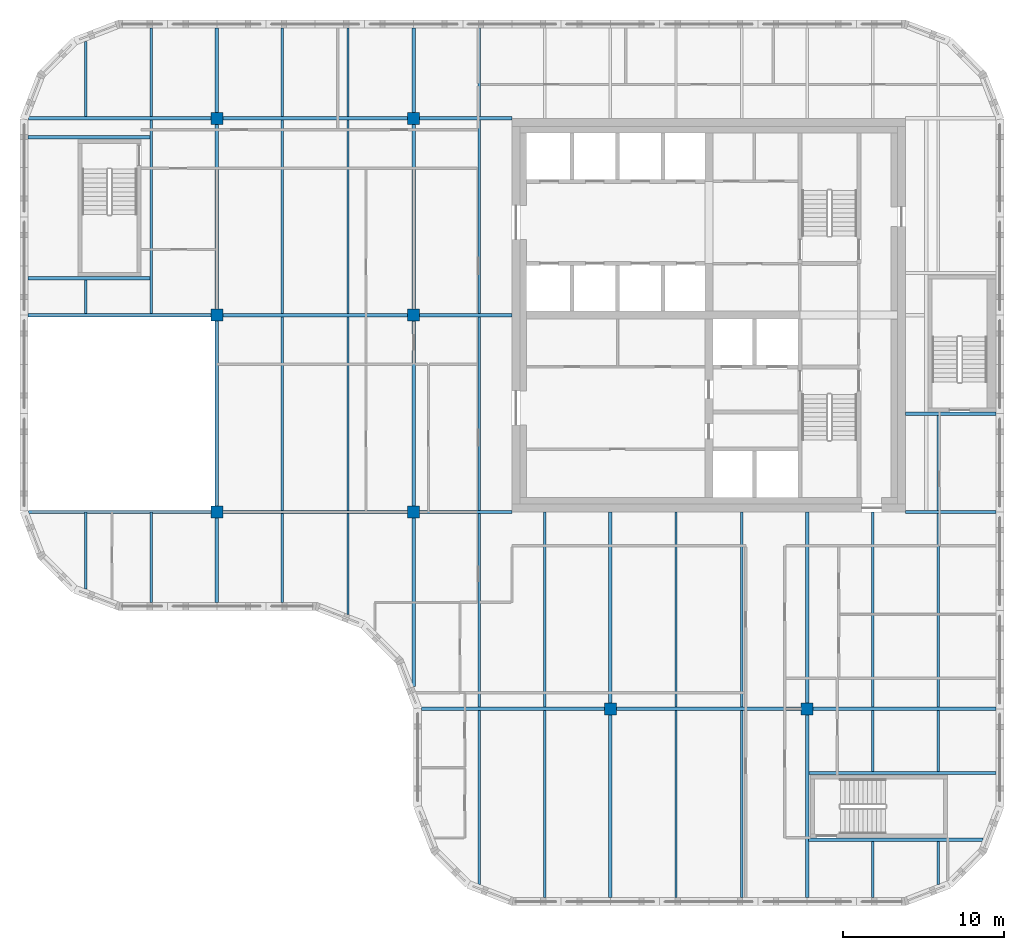
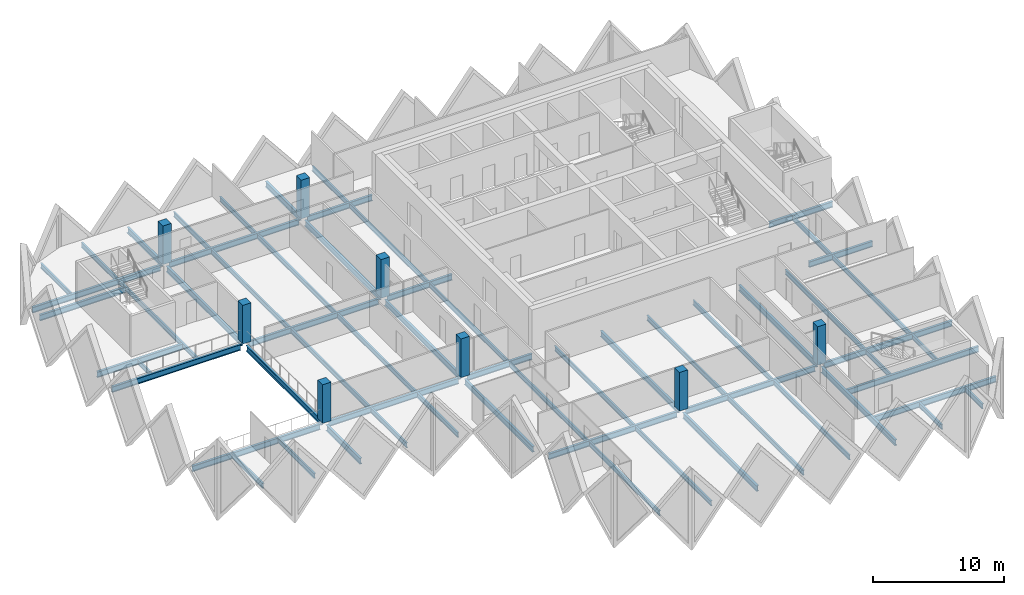
# One storey, part 1 of 11: 62 beams, 8 columns.
"""IFC4 building model written with IfcOpenShell, lengths in metres."""

from ifc_helpers import new_model, si_unit, direction, frame, origin, origin_2d, place, context, subcontext, project, spatial, rectangle, i_section, extrude, material, material_profile, profile_set, type_object, element, save


model = new_model("IFC4")

# Units and contexts
model_context = context("Model", 3, precision=1e-05, world=origin(), true_north=direction((0.0, 1.0)))
body_context = subcontext(model_context, "Body", "Model", "MODEL_VIEW")
ifc_project = project(units=[si_unit("LENGTHUNIT", "METRE"), si_unit("AREAUNIT", "SQUARE_METRE"), si_unit("VOLUMEUNIT", "CUBIC_METRE"), si_unit("PLANEANGLEUNIT", "RADIAN"), si_unit("MASSUNIT", "GRAM", prefix="KILO")], contexts=[model_context])

# Site, building, storey
site_placement = place(None, origin())
site = spatial("IfcSite", under=ifc_project, at=site_placement, CompositionType="ELEMENT")
building_placement = place(site_placement, origin())
building = spatial("IfcBuilding", under=site, at=building_placement, Name="Tessera Gate Towers", CompositionType="ELEMENT")
storey_placement = place(building_placement, frame((0.0, 0.0, 205.5)))
storey = spatial("IfcBuildingStorey", under=building, at=storey_placement, Name="L51", CompositionType="ELEMENT", Elevation=205.5)

# Columns
ifc_material_1 = material(Name="Concrete C70/85", Category="concrete")
ifc_material_profile_1 = material_profile(ifc_material_1, rectangle(XDim=0.75, YDim=0.75, at=origin_2d()), Name="RC 750x750")
ifc_profile_set_1 = profile_set([ifc_material_profile_1], Name="Concrete C70/85")
column_type = type_object("IfcColumnType", Name="COLUMN RC 750x750", PredefinedType="COLUMN", material=ifc_profile_set_1)
for number, where, z_axis, x_axis, name in (
    (1, (12.199951171875, 24.39990234375, 0.0), (0.0, 0.0, 1.0), (1.0, 0.0, 0.0), "T1-COL-2C-L51"),
    (2, (12.199951171875, 36.60009765625, 0.0), (0.0, 0.0, 1.0), (1.0, 0.0, 0.0), "T1-COL-2D-L51"),
    (3, (12.199951171875, 48.800048828125, 0.0), (0.0, 0.0, 1.0), (1.0, 0.0, 0.0), "T1-COL-2E-L51"),
    (4, (24.39990234375, 24.39990234375, 0.0), (0.0, 0.0, 1.0), (1.0, 0.0, 0.0), "T1-COL-3C-L51"),
    (5, (24.39990234375, 36.60009765625, 0.0), (0.0, 0.0, 1.0), (1.0, 0.0, 0.0), "T1-COL-3D-L51"),
    (6, (24.39990234375, 48.800048828125, 0.0), (0.0, 0.0, 1.0), (1.0, 0.0, 0.0), "T1-COL-3E-L51"),
    (7, (36.60009765625, 12.199951171875, 0.0), (0.0, 0.0, 1.0), (1.0, 0.0, 0.0), "T1-COL-4B-L51"),
    (8, (48.800048828125, 12.199951171875, 0.0), (0.0, 0.0, 1.0), (1.0, 0.0, 0.0), "T1-COL-5B-L51"),
):
    element("IfcColumn", number, at=place(storey_placement, frame(where, z_axis=z_axis, x_axis=x_axis)), inside=storey, type_object=column_type, Name=name, PredefinedType="COLUMN", context=body_context, shape_type="SweptSolid", body=[
        extrude(rectangle(XDim=0.75, YDim=0.75, at=origin_2d()), origin(), (0.0, 0.0, 1.0), 3.60009765625),
    ])

# Beams
ifc_material_2 = material(Name="Steel 350W", Category="steel")
ifc_material_profile_2 = material_profile(ifc_material_2, i_section(OverallWidth=0.208984375, OverallDepth=0.532958984375, WebThickness=0.01025390625, FlangeThickness=0.015625, at=origin_2d()), Name="W530x92")
ifc_profile_set_2 = profile_set([ifc_material_profile_2], Name="Steel 350W")
beam_type_1 = type_object("IfcBeamType", Name="FLOOR GIRDER W530x92", PredefinedType="BEAM", material=ifc_profile_set_2)
beam_1_placement = place(storey_placement, frame((24.89892578125, 12.199951171875, -0.466552734375), z_axis=(1.0, 0.0, 0.0), x_axis=(0.0, 1.0, 0.0)))
element("IfcBeam", 9, at=beam_1_placement, inside=storey, type_object=beam_type_1, Name="T1-GD-L51-5330", PredefinedType="BEAM", context=body_context, shape_type="SweptSolid", body=[
    extrude(i_section(OverallWidth=0.208984375, OverallDepth=0.532958984375, WebThickness=0.01025390625, FlangeThickness=0.015625, at=origin_2d()), origin(), (0.0, 0.0, 1.0), 11.326171875),
])
beam_2_placement = place(storey_placement, frame((36.97509765625, 12.199951171875, -0.466552734375), z_axis=(1.0, 0.0, 0.0), x_axis=(0.0, 1.0, 0.0)))
element("IfcBeam", 10, at=beam_2_placement, inside=storey, type_object=beam_type_1, Name="T1-GD-L51-5331", PredefinedType="BEAM", context=body_context, shape_type="SweptSolid", body=[
    extrude(i_section(OverallWidth=0.208984375, OverallDepth=0.532958984375, WebThickness=0.01025390625, FlangeThickness=0.015625, at=origin_2d()), origin(), (0.0, 0.0, 1.0), 11.449951171875),
])
beam_3_placement = place(storey_placement, frame((49.175048828125, 12.199951171875, -0.466552734375), z_axis=(1.0, 0.0, 0.0), x_axis=(0.0, 1.0, 0.0)))
element("IfcBeam", 11, at=beam_3_placement, inside=storey, type_object=beam_type_1, Name="T1-GD-L51-5332", PredefinedType="BEAM", context=body_context, shape_type="SweptSolid", body=[
    extrude(i_section(OverallWidth=0.208984375, OverallDepth=0.532958984375, WebThickness=0.01025390625, FlangeThickness=0.015625, at=origin_2d()), origin(), (0.0, 0.0, 1.0), 11.325927734375),
])
beam_4_placement = place(storey_placement, frame((0.534912109375, 24.39990234375, -0.466552734375), z_axis=(1.0, 0.0, 0.0), x_axis=(0.0, 1.0, 0.0)))
element("IfcBeam", 12, at=beam_4_placement, inside=storey, type_object=beam_type_1, Name="T1-GD-L51-5333", PredefinedType="BEAM", context=body_context, shape_type="SweptSolid", body=[
    extrude(i_section(OverallWidth=0.208984375, OverallDepth=0.532958984375, WebThickness=0.01025390625, FlangeThickness=0.015625, at=origin_2d()), origin(), (0.0, 0.0, 1.0), 11.2900390625),
])
beam_5_placement = place(storey_placement, frame((12.574951171875, 24.39990234375, -0.466552734375), z_axis=(1.0, 0.0, 0.0), x_axis=(0.0, 1.0, 0.0)))
element("IfcBeam", 13, at=beam_5_placement, inside=storey, type_object=beam_type_1, Name="T1-GD-L51-5334", PredefinedType="BEAM", context=body_context, shape_type="SweptSolid", body=[
    extrude(i_section(OverallWidth=0.208984375, OverallDepth=0.532958984375, WebThickness=0.01025390625, FlangeThickness=0.015625, at=origin_2d()), origin(), (0.0, 0.0, 1.0), 11.449951171875),
])
beam_6_placement = place(storey_placement, frame((24.77490234375, 24.39990234375, -0.466552734375), z_axis=(1.0, 0.0, 0.0), x_axis=(0.0, 1.0, 0.0)))
element("IfcBeam", 14, at=beam_6_placement, inside=storey, type_object=beam_type_1, Name="T1-GD-L51-5335", PredefinedType="BEAM", context=body_context, shape_type="SweptSolid", body=[
    extrude(i_section(OverallWidth=0.208984375, OverallDepth=0.532958984375, WebThickness=0.01025390625, FlangeThickness=0.015625, at=origin_2d()), origin(), (0.0, 0.0, 1.0), 5.72412109375),
])
beam_7_placement = place(storey_placement, frame((54.90087890625, 24.39990234375, -0.466552734375), z_axis=(1.0, 0.0, 0.0), x_axis=(0.0, 1.0, 0.0)))
element("IfcBeam", 15, at=beam_7_placement, inside=storey, type_object=beam_type_1, Name="T1-GD-L51-5336", PredefinedType="BEAM", context=body_context, shape_type="SweptSolid", body=[
    extrude(i_section(OverallWidth=0.208984375, OverallDepth=0.532958984375, WebThickness=0.01025390625, FlangeThickness=0.015625, at=origin_2d()), origin(), (0.0, 0.0, 1.0), 5.60009765625),
])
beam_8_placement = place(storey_placement, frame((0.4990234375, 36.60009765625, -0.466552734375), z_axis=(1.0, 0.0, 0.0), x_axis=(0.0, 1.0, 0.0)))
element("IfcBeam", 16, at=beam_8_placement, inside=storey, type_object=beam_type_1, Name="T1-GD-L51-5337", PredefinedType="BEAM", context=body_context, shape_type="SweptSolid", body=[
    extrude(i_section(OverallWidth=0.208984375, OverallDepth=0.532958984375, WebThickness=0.01025390625, FlangeThickness=0.015625, at=origin_2d()), origin(), (0.0, 0.0, 1.0), 11.325927734375),
])
beam_9_placement = place(storey_placement, frame((12.574951171875, 36.60009765625, -0.466552734375), z_axis=(1.0, 0.0, 0.0), x_axis=(0.0, 1.0, 0.0)))
element("IfcBeam", 17, at=beam_9_placement, inside=storey, type_object=beam_type_1, Name="T1-GD-L51-5338", PredefinedType="BEAM", context=body_context, shape_type="SweptSolid", body=[
    extrude(i_section(OverallWidth=0.208984375, OverallDepth=0.532958984375, WebThickness=0.01025390625, FlangeThickness=0.015625, at=origin_2d()), origin(), (0.0, 0.0, 1.0), 11.449951171875),
])
beam_10_placement = place(storey_placement, frame((24.77490234375, 36.60009765625, -0.466552734375), z_axis=(1.0, 0.0, 0.0), x_axis=(0.0, 1.0, 0.0)))
element("IfcBeam", 18, at=beam_10_placement, inside=storey, type_object=beam_type_1, Name="T1-GD-L51-5339", PredefinedType="BEAM", context=body_context, shape_type="SweptSolid", body=[
    extrude(i_section(OverallWidth=0.208984375, OverallDepth=0.532958984375, WebThickness=0.01025390625, FlangeThickness=0.015625, at=origin_2d()), origin(), (0.0, 0.0, 1.0), 5.72607421875),
])
beam_11_placement = place(storey_placement, frame((0.534912109375, 48.800048828125, -0.466552734375), z_axis=(1.0, 0.0, 0.0), x_axis=(0.0, 1.0, 0.0)))
element("IfcBeam", 19, at=beam_11_placement, inside=storey, type_object=beam_type_1, Name="T1-GD-L51-5341", PredefinedType="BEAM", context=body_context, shape_type="SweptSolid", body=[
    extrude(i_section(OverallWidth=0.208984375, OverallDepth=0.532958984375, WebThickness=0.01025390625, FlangeThickness=0.015625, at=origin_2d()), origin(), (0.0, 0.0, 1.0), 11.2900390625),
])
beam_12_placement = place(storey_placement, frame((12.574951171875, 48.800048828125, -0.466552734375), z_axis=(1.0, 0.0, 0.0), x_axis=(0.0, 1.0, 0.0)))
element("IfcBeam", 20, at=beam_12_placement, inside=storey, type_object=beam_type_1, Name="T1-GD-L51-5342", PredefinedType="BEAM", context=body_context, shape_type="SweptSolid", body=[
    extrude(i_section(OverallWidth=0.208984375, OverallDepth=0.532958984375, WebThickness=0.01025390625, FlangeThickness=0.015625, at=origin_2d()), origin(), (0.0, 0.0, 1.0), 11.449951171875),
])
beam_13_placement = place(storey_placement, frame((24.77490234375, 48.800048828125, -0.466552734375), z_axis=(1.0, 0.0, 0.0), x_axis=(0.0, 1.0, 0.0)))
element("IfcBeam", 21, at=beam_13_placement, inside=storey, type_object=beam_type_1, Name="T1-GD-L51-5343", PredefinedType="BEAM", context=body_context, shape_type="SweptSolid", body=[
    extrude(i_section(OverallWidth=0.208984375, OverallDepth=0.532958984375, WebThickness=0.01025390625, FlangeThickness=0.015625, at=origin_2d()), origin(), (0.0, 0.0, 1.0), 5.72412109375),
])
beam_14_placement = place(storey_placement, frame((12.199951171875, 18.799072265625, -0.466552734375), z_axis=(0.0, 1.0, 0.0), x_axis=(-1.0, 0.0, 0.0)))
element("IfcBeam", 22, at=beam_14_placement, inside=storey, type_object=beam_type_1, Name="T1-GD-L51-5345", PredefinedType="BEAM", context=body_context, shape_type="SweptSolid", body=[
    extrude(i_section(OverallWidth=0.208984375, OverallDepth=0.532958984375, WebThickness=0.01025390625, FlangeThickness=0.015625, at=origin_2d()), origin(), (0.0, 0.0, 1.0), 5.225830078125),
])
beam_15_placement = place(storey_placement, frame((12.199951171875, 24.77490234375, -0.466552734375), z_axis=(0.0, 1.0, 0.0), x_axis=(-1.0, 0.0, 0.0)))
element("IfcBeam", 23, at=beam_15_placement, inside=storey, type_object=beam_type_1, Name="T1-GD-L51-5346", PredefinedType="BEAM", context=body_context, shape_type="SweptSolid", body=[
    extrude(i_section(OverallWidth=0.208984375, OverallDepth=0.532958984375, WebThickness=0.01025390625, FlangeThickness=0.015625, at=origin_2d()), origin(), (0.0, 0.0, 1.0), 11.4501953125),
])
beam_16_placement = place(storey_placement, frame((12.199951171875, 36.97509765625, -0.466552734375), z_axis=(0.0, 1.0, 0.0), x_axis=(-1.0, 0.0, 0.0)))
element("IfcBeam", 24, at=beam_16_placement, inside=storey, type_object=beam_type_1, Name="T1-GD-L51-5347", PredefinedType="BEAM", context=body_context, shape_type="SweptSolid", body=[
    extrude(i_section(OverallWidth=0.208984375, OverallDepth=0.532958984375, WebThickness=0.01025390625, FlangeThickness=0.015625, at=origin_2d()), origin(), (0.0, 0.0, 1.0), 11.449951171875),
])
beam_17_placement = place(storey_placement, frame((12.199951171875, 49.175048828125, -0.466552734375), z_axis=(0.0, 1.0, 0.0), x_axis=(-1.0, 0.0, 0.0)))
element("IfcBeam", 25, at=beam_17_placement, inside=storey, type_object=beam_type_1, Name="T1-GD-L51-5348", PredefinedType="BEAM", context=body_context, shape_type="SweptSolid", body=[
    extrude(i_section(OverallWidth=0.208984375, OverallDepth=0.532958984375, WebThickness=0.01025390625, FlangeThickness=0.015625, at=origin_2d()), origin(), (0.0, 0.0, 1.0), 5.225830078125),
])
beam_18_placement = place(storey_placement, frame((24.39990234375, 13.58642578125, -0.466552734375), z_axis=(0.0, 1.0, 0.0), x_axis=(-1.0, 0.0, 0.0)))
element("IfcBeam", 26, at=beam_18_placement, inside=storey, type_object=beam_type_1, Name="T1-GD-L51-5349", PredefinedType="BEAM", context=body_context, shape_type="SweptSolid", body=[
    extrude(i_section(OverallWidth=0.208984375, OverallDepth=0.532958984375, WebThickness=0.01025390625, FlangeThickness=0.015625, at=origin_2d()), origin(), (0.0, 0.0, 1.0), 10.4384765625),
])
beam_19_placement = place(storey_placement, frame((24.39990234375, 24.77490234375, -0.466552734375), z_axis=(0.0, 1.0, 0.0), x_axis=(-1.0, 0.0, 0.0)))
element("IfcBeam", 27, at=beam_19_placement, inside=storey, type_object=beam_type_1, Name="T1-GD-L51-5350", PredefinedType="BEAM", context=body_context, shape_type="SweptSolid", body=[
    extrude(i_section(OverallWidth=0.208984375, OverallDepth=0.532958984375, WebThickness=0.01025390625, FlangeThickness=0.015625, at=origin_2d()), origin(), (0.0, 0.0, 1.0), 11.4501953125),
])
beam_20_placement = place(storey_placement, frame((24.39990234375, 36.97509765625, -0.466552734375), z_axis=(0.0, 1.0, 0.0), x_axis=(-1.0, 0.0, 0.0)))
element("IfcBeam", 28, at=beam_20_placement, inside=storey, type_object=beam_type_1, Name="T1-GD-L51-5351", PredefinedType="BEAM", context=body_context, shape_type="SweptSolid", body=[
    extrude(i_section(OverallWidth=0.208984375, OverallDepth=0.532958984375, WebThickness=0.01025390625, FlangeThickness=0.015625, at=origin_2d()), origin(), (0.0, 0.0, 1.0), 11.449951171875),
])
beam_21_placement = place(storey_placement, frame((24.39990234375, 49.175048828125, -0.466552734375), z_axis=(0.0, 1.0, 0.0), x_axis=(-1.0, 0.0, 0.0)))
element("IfcBeam", 29, at=beam_21_placement, inside=storey, type_object=beam_type_1, Name="T1-GD-L51-5352", PredefinedType="BEAM", context=body_context, shape_type="SweptSolid", body=[
    extrude(i_section(OverallWidth=0.208984375, OverallDepth=0.532958984375, WebThickness=0.01025390625, FlangeThickness=0.015625, at=origin_2d()), origin(), (0.0, 0.0, 1.0), 5.225830078125),
])
beam_22_placement = place(storey_placement, frame((36.60009765625, 0.4990234375, -0.466552734375), z_axis=(0.0, 1.0, 0.0), x_axis=(-1.0, 0.0, 0.0)))
element("IfcBeam", 30, at=beam_22_placement, inside=storey, type_object=beam_type_1, Name="T1-GD-L51-5353", PredefinedType="BEAM", context=body_context, shape_type="SweptSolid", body=[
    extrude(i_section(OverallWidth=0.208984375, OverallDepth=0.532958984375, WebThickness=0.01025390625, FlangeThickness=0.015625, at=origin_2d()), origin(), (0.0, 0.0, 1.0), 11.325927734375),
])
beam_23_placement = place(storey_placement, frame((36.60009765625, 12.574951171875, -0.466552734375), z_axis=(0.0, 1.0, 0.0), x_axis=(-1.0, 0.0, 0.0)))
element("IfcBeam", 31, at=beam_23_placement, inside=storey, type_object=beam_type_1, Name="T1-GD-L51-5354", PredefinedType="BEAM", context=body_context, shape_type="SweptSolid", body=[
    extrude(i_section(OverallWidth=0.208984375, OverallDepth=0.532958984375, WebThickness=0.01025390625, FlangeThickness=0.015625, at=origin_2d()), origin(), (0.0, 0.0, 1.0), 11.824951171875),
])
beam_24_placement = place(storey_placement, frame((48.800048828125, 0.4990234375, -0.466552734375), z_axis=(0.0, 1.0, 0.0), x_axis=(-1.0, 0.0, 0.0)))
element("IfcBeam", 32, at=beam_24_placement, inside=storey, type_object=beam_type_1, Name="T1-GD-L51-5355", PredefinedType="BEAM", context=body_context, shape_type="SweptSolid", body=[
    extrude(i_section(OverallWidth=0.208984375, OverallDepth=0.532958984375, WebThickness=0.01025390625, FlangeThickness=0.015625, at=origin_2d()), origin(), (0.0, 0.0, 1.0), 11.325927734375),
])
beam_25_placement = place(storey_placement, frame((48.800048828125, 12.574951171875, -0.466552734375), z_axis=(0.0, 1.0, 0.0), x_axis=(-1.0, 0.0, 0.0)))
element("IfcBeam", 33, at=beam_25_placement, inside=storey, type_object=beam_type_1, Name="T1-GD-L51-5356", PredefinedType="BEAM", context=body_context, shape_type="SweptSolid", body=[
    extrude(i_section(OverallWidth=0.208984375, OverallDepth=0.532958984375, WebThickness=0.01025390625, FlangeThickness=0.015625, at=origin_2d()), origin(), (0.0, 0.0, 1.0), 11.824951171875),
])
for number, where, z_axis, x_axis, name in (
    (34, (0.4990234375, 38.8798828125, -0.466552734375), (1.0, 0.0, 0.0), (0.0, 1.0, 0.0), "T1-GD-L51-5357"),
    (35, (0.4990234375, 47.6201171875, -0.466552734375), (1.0, 0.0, 0.0), (0.0, 1.0, 0.0), "T1-GD-L51-5358"),
):
    element("IfcBeam", number, at=place(storey_placement, frame(where, z_axis=z_axis, x_axis=x_axis)), inside=storey, type_object=beam_type_1, Name=name, PredefinedType="BEAM", context=body_context, shape_type="SweptSolid", body=[
        extrude(i_section(OverallWidth=0.208984375, OverallDepth=0.532958984375, WebThickness=0.01025390625, FlangeThickness=0.015625, at=origin_2d()), origin(), (0.0, 0.0, 1.0), 7.557861328125),
    ])
beam_26_placement = place(storey_placement, frame((48.87646484375, 4.080078125, -0.466552734375), z_axis=(1.0, 0.0, 0.0), x_axis=(0.0, 1.0, 0.0)))
element("IfcBeam", 36, at=beam_26_placement, inside=storey, type_object=beam_type_1, Name="T1-GD-L51-5359", PredefinedType="BEAM", context=body_context, shape_type="SweptSolid", body=[
    extrude(i_section(OverallWidth=0.208984375, OverallDepth=0.532958984375, WebThickness=0.01025390625, FlangeThickness=0.015625, at=origin_2d()), origin(), (0.0, 0.0, 1.0), 10.809326171875),
])
beam_27_placement = place(storey_placement, frame((48.87646484375, 8.219970703125, -0.466552734375), z_axis=(1.0, 0.0, 0.0), x_axis=(0.0, 1.0, 0.0)))
element("IfcBeam", 37, at=beam_27_placement, inside=storey, type_object=beam_type_1, Name="T1-GD-L51-5360", PredefinedType="BEAM", context=body_context, shape_type="SweptSolid", body=[
    extrude(i_section(OverallWidth=0.208984375, OverallDepth=0.532958984375, WebThickness=0.01025390625, FlangeThickness=0.015625, at=origin_2d()), origin(), (0.0, 0.0, 1.0), 11.62451171875),
])
beam_28_placement = place(storey_placement, frame((54.89892578125, 30.47998046875, -0.466552734375), z_axis=(1.0, 0.0, 0.0), x_axis=(0.0, 1.0, 0.0)))
element("IfcBeam", 38, at=beam_28_placement, inside=storey, type_object=beam_type_1, Name="T1-GD-L51-5361", PredefinedType="BEAM", context=body_context, shape_type="SweptSolid", body=[
    extrude(i_section(OverallWidth=0.208984375, OverallDepth=0.532958984375, WebThickness=0.01025390625, FlangeThickness=0.015625, at=origin_2d()), origin(), (0.0, 0.0, 1.0), 5.60205078125),
])
ifc_material_3 = material(Name="Steel 350W", Category="steel")
ifc_material_profile_3 = material_profile(ifc_material_3, i_section(OverallWidth=0.153076171875, OverallDepth=0.455078125, WebThickness=0.008056640625, FlangeThickness=0.01318359375, at=origin_2d()), Name="W460x60")
ifc_profile_set_3 = profile_set([ifc_material_profile_3], Name="Steel 350W")
beam_type_2 = type_object("IfcBeamType", Name="FLOOR SECONDARY W460x60", PredefinedType="BEAM", material=ifc_profile_set_3)
beam_29_placement = place(storey_placement, frame((4.066650390625, 19.620361328125, -0.427490234375), z_axis=(0.0, 1.0, 0.0), x_axis=(-1.0, 0.0, 0.0)))
element("IfcBeam", 39, at=beam_29_placement, inside=storey, type_object=beam_type_2, Name="T1-BM-L51-5364", PredefinedType="BEAM", context=body_context, shape_type="SweptSolid", body=[
    extrude(i_section(OverallWidth=0.153076171875, OverallDepth=0.455078125, WebThickness=0.008056640625, FlangeThickness=0.01318359375, at=origin_2d()), origin(), (0.0, 0.0, 1.0), 4.779541015625),
])
beam_30_placement = place(storey_placement, frame((4.066650390625, 36.70458984375, -0.427490234375), z_axis=(0.0, 1.0, 0.0), x_axis=(-1.0, 0.0, 0.0)))
element("IfcBeam", 40, at=beam_30_placement, inside=storey, type_object=beam_type_2, Name="T1-BM-L51-5365", PredefinedType="BEAM", context=body_context, shape_type="SweptSolid", body=[
    extrude(i_section(OverallWidth=0.153076171875, OverallDepth=0.455078125, WebThickness=0.008056640625, FlangeThickness=0.01318359375, at=origin_2d()), origin(), (0.0, 0.0, 1.0), 2.07080078125),
])
beam_31_placement = place(storey_placement, frame((4.066650390625, 48.904541015625, -0.427490234375), z_axis=(0.0, 1.0, 0.0), x_axis=(-1.0, 0.0, 0.0)))
element("IfcBeam", 41, at=beam_31_placement, inside=storey, type_object=beam_type_2, Name="T1-BM-L51-5366", PredefinedType="BEAM", context=body_context, shape_type="SweptSolid", body=[
    extrude(i_section(OverallWidth=0.153076171875, OverallDepth=0.455078125, WebThickness=0.008056640625, FlangeThickness=0.01318359375, at=origin_2d()), origin(), (0.0, 0.0, 1.0), 4.675048828125),
])
beam_32_placement = place(storey_placement, frame((8.13330078125, 18.800048828125, -0.427490234375), z_axis=(0.0, 1.0, 0.0), x_axis=(-1.0, 0.0, 0.0)))
element("IfcBeam", 42, at=beam_32_placement, inside=storey, type_object=beam_type_2, Name="T1-BM-L51-5367", PredefinedType="BEAM", context=body_context, shape_type="SweptSolid", body=[
    extrude(i_section(OverallWidth=0.153076171875, OverallDepth=0.455078125, WebThickness=0.008056640625, FlangeThickness=0.01318359375, at=origin_2d()), origin(), (0.0, 0.0, 1.0), 5.599853515625),
])
beam_33_placement = place(storey_placement, frame((8.13330078125, 36.70458984375, -0.427490234375), z_axis=(0.0, 1.0, 0.0), x_axis=(-1.0, 0.0, 0.0)))
element("IfcBeam", 43, at=beam_33_placement, inside=storey, type_object=beam_type_2, Name="T1-BM-L51-5368", PredefinedType="BEAM", context=body_context, shape_type="SweptSolid", body=[
    extrude(i_section(OverallWidth=0.153076171875, OverallDepth=0.455078125, WebThickness=0.008056640625, FlangeThickness=0.01318359375, at=origin_2d()), origin(), (0.0, 0.0, 1.0), 11.990966796875),
])
for number, where, z_axis, x_axis, name in (
    (44, (8.13330078125, 48.904541015625, -0.427490234375), (0.0, 1.0, 0.0), (-1.0, 0.0, 0.0), "T1-BM-L51-5369"),
    (45, (16.2666015625, 18.800048828125, -0.427490234375), (0.0, 1.0, 0.0), (-1.0, 0.0, 0.0), "T1-BM-L51-5370"),
):
    element("IfcBeam", number, at=place(storey_placement, frame(where, z_axis=z_axis, x_axis=x_axis)), inside=storey, type_object=beam_type_2, Name=name, PredefinedType="BEAM", context=body_context, shape_type="SweptSolid", body=[
        extrude(i_section(OverallWidth=0.153076171875, OverallDepth=0.455078125, WebThickness=0.008056640625, FlangeThickness=0.01318359375, at=origin_2d()), origin(), (0.0, 0.0, 1.0), 5.495361328125),
    ])
beam_34_placement = place(storey_placement, frame((16.2666015625, 24.50439453125, -0.427490234375), z_axis=(0.0, 1.0, 0.0), x_axis=(-1.0, 0.0, 0.0)))
element("IfcBeam", 46, at=beam_34_placement, inside=storey, type_object=beam_type_2, Name="T1-BM-L51-5371", PredefinedType="BEAM", context=body_context, shape_type="SweptSolid", body=[
    extrude(i_section(OverallWidth=0.153076171875, OverallDepth=0.455078125, WebThickness=0.008056640625, FlangeThickness=0.01318359375, at=origin_2d()), origin(), (0.0, 0.0, 1.0), 11.9912109375),
])
beam_35_placement = place(storey_placement, frame((16.2666015625, 36.70458984375, -0.427490234375), z_axis=(0.0, 1.0, 0.0), x_axis=(-1.0, 0.0, 0.0)))
element("IfcBeam", 47, at=beam_35_placement, inside=storey, type_object=beam_type_2, Name="T1-BM-L51-5372", PredefinedType="BEAM", context=body_context, shape_type="SweptSolid", body=[
    extrude(i_section(OverallWidth=0.153076171875, OverallDepth=0.455078125, WebThickness=0.008056640625, FlangeThickness=0.01318359375, at=origin_2d()), origin(), (0.0, 0.0, 1.0), 11.990966796875),
])
beam_36_placement = place(storey_placement, frame((16.2666015625, 48.904541015625, -0.427490234375), z_axis=(0.0, 1.0, 0.0), x_axis=(-1.0, 0.0, 0.0)))
element("IfcBeam", 48, at=beam_36_placement, inside=storey, type_object=beam_type_2, Name="T1-BM-L51-5373", PredefinedType="BEAM", context=body_context, shape_type="SweptSolid", body=[
    extrude(i_section(OverallWidth=0.153076171875, OverallDepth=0.455078125, WebThickness=0.008056640625, FlangeThickness=0.01318359375, at=origin_2d()), origin(), (0.0, 0.0, 1.0), 5.495361328125),
])
beam_37_placement = place(storey_placement, frame((20.333251953125, 18.051513671875, -0.427490234375), z_axis=(0.0, 1.0, 0.0), x_axis=(-1.0, 0.0, 0.0)))
element("IfcBeam", 49, at=beam_37_placement, inside=storey, type_object=beam_type_2, Name="T1-BM-L51-5374", PredefinedType="BEAM", context=body_context, shape_type="SweptSolid", body=[
    extrude(i_section(OverallWidth=0.153076171875, OverallDepth=0.455078125, WebThickness=0.008056640625, FlangeThickness=0.01318359375, at=origin_2d()), origin(), (0.0, 0.0, 1.0), 6.243896484375),
])
beam_38_placement = place(storey_placement, frame((20.333251953125, 24.50439453125, -0.427490234375), z_axis=(0.0, 1.0, 0.0), x_axis=(-1.0, 0.0, 0.0)))
element("IfcBeam", 50, at=beam_38_placement, inside=storey, type_object=beam_type_2, Name="T1-BM-L51-5375", PredefinedType="BEAM", context=body_context, shape_type="SweptSolid", body=[
    extrude(i_section(OverallWidth=0.153076171875, OverallDepth=0.455078125, WebThickness=0.008056640625, FlangeThickness=0.01318359375, at=origin_2d()), origin(), (0.0, 0.0, 1.0), 11.9912109375),
])
beam_39_placement = place(storey_placement, frame((20.333251953125, 36.70458984375, -0.427490234375), z_axis=(0.0, 1.0, 0.0), x_axis=(-1.0, 0.0, 0.0)))
element("IfcBeam", 51, at=beam_39_placement, inside=storey, type_object=beam_type_2, Name="T1-BM-L51-5376", PredefinedType="BEAM", context=body_context, shape_type="SweptSolid", body=[
    extrude(i_section(OverallWidth=0.153076171875, OverallDepth=0.455078125, WebThickness=0.008056640625, FlangeThickness=0.01318359375, at=origin_2d()), origin(), (0.0, 0.0, 1.0), 11.990966796875),
])
beam_40_placement = place(storey_placement, frame((20.333251953125, 48.904541015625, -0.427490234375), z_axis=(0.0, 1.0, 0.0), x_axis=(-1.0, 0.0, 0.0)))
element("IfcBeam", 52, at=beam_40_placement, inside=storey, type_object=beam_type_2, Name="T1-BM-L51-5377", PredefinedType="BEAM", context=body_context, shape_type="SweptSolid", body=[
    extrude(i_section(OverallWidth=0.153076171875, OverallDepth=0.455078125, WebThickness=0.008056640625, FlangeThickness=0.01318359375, at=origin_2d()), origin(), (0.0, 0.0, 1.0), 5.495361328125),
])
beam_41_placement = place(storey_placement, frame((28.466796875, 1.3203125, -0.427490234375), z_axis=(0.0, 1.0, 0.0), x_axis=(-1.0, 0.0, 0.0)))
element("IfcBeam", 53, at=beam_41_placement, inside=storey, type_object=beam_type_2, Name="T1-BM-L51-5378", PredefinedType="BEAM", context=body_context, shape_type="SweptSolid", body=[
    extrude(i_section(OverallWidth=0.153076171875, OverallDepth=0.455078125, WebThickness=0.008056640625, FlangeThickness=0.01318359375, at=origin_2d()), origin(), (0.0, 0.0, 1.0), 10.775146484375),
])
beam_42_placement = place(storey_placement, frame((28.466796875, 12.304443359375, -0.427490234375), z_axis=(0.0, 1.0, 0.0), x_axis=(-1.0, 0.0, 0.0)))
element("IfcBeam", 54, at=beam_42_placement, inside=storey, type_object=beam_type_2, Name="T1-BM-L51-5379", PredefinedType="BEAM", context=body_context, shape_type="SweptSolid", body=[
    extrude(i_section(OverallWidth=0.153076171875, OverallDepth=0.455078125, WebThickness=0.008056640625, FlangeThickness=0.01318359375, at=origin_2d()), origin(), (0.0, 0.0, 1.0), 11.990966796875),
])
beam_43_placement = place(storey_placement, frame((28.466796875, 24.50439453125, -0.427490234375), z_axis=(0.0, 1.0, 0.0), x_axis=(-1.0, 0.0, 0.0)))
element("IfcBeam", 55, at=beam_43_placement, inside=storey, type_object=beam_type_2, Name="T1-BM-L51-5380", PredefinedType="BEAM", context=body_context, shape_type="SweptSolid", body=[
    extrude(i_section(OverallWidth=0.153076171875, OverallDepth=0.455078125, WebThickness=0.008056640625, FlangeThickness=0.01318359375, at=origin_2d()), origin(), (0.0, 0.0, 1.0), 11.9912109375),
])
beam_44_placement = place(storey_placement, frame((28.466796875, 36.70458984375, -0.427490234375), z_axis=(0.0, 1.0, 0.0), x_axis=(-1.0, 0.0, 0.0)))
element("IfcBeam", 56, at=beam_44_placement, inside=storey, type_object=beam_type_2, Name="T1-BM-L51-5381", PredefinedType="BEAM", context=body_context, shape_type="SweptSolid", body=[
    extrude(i_section(OverallWidth=0.153076171875, OverallDepth=0.455078125, WebThickness=0.008056640625, FlangeThickness=0.01318359375, at=origin_2d()), origin(), (0.0, 0.0, 1.0), 11.990966796875),
])
beam_45_placement = place(storey_placement, frame((28.466796875, 48.904541015625, -0.427490234375), z_axis=(0.0, 1.0, 0.0), x_axis=(-1.0, 0.0, 0.0)))
element("IfcBeam", 57, at=beam_45_placement, inside=storey, type_object=beam_type_2, Name="T1-BM-L51-5382", PredefinedType="BEAM", context=body_context, shape_type="SweptSolid", body=[
    extrude(i_section(OverallWidth=0.153076171875, OverallDepth=0.455078125, WebThickness=0.008056640625, FlangeThickness=0.01318359375, at=origin_2d()), origin(), (0.0, 0.0, 1.0), 5.495361328125),
])
beam_46_placement = place(storey_placement, frame((32.533203125, 0.5, -0.427490234375), z_axis=(0.0, 1.0, 0.0), x_axis=(-1.0, 0.0, 0.0)))
element("IfcBeam", 58, at=beam_46_placement, inside=storey, type_object=beam_type_2, Name="T1-BM-L51-5383", PredefinedType="BEAM", context=body_context, shape_type="SweptSolid", body=[
    extrude(i_section(OverallWidth=0.153076171875, OverallDepth=0.455078125, WebThickness=0.008056640625, FlangeThickness=0.01318359375, at=origin_2d()), origin(), (0.0, 0.0, 1.0), 11.595458984375),
])
beam_47_placement = place(storey_placement, frame((32.533203125, 12.304443359375, -0.427490234375), z_axis=(0.0, 1.0, 0.0), x_axis=(-1.0, 0.0, 0.0)))
element("IfcBeam", 59, at=beam_47_placement, inside=storey, type_object=beam_type_2, Name="T1-BM-L51-5384", PredefinedType="BEAM", context=body_context, shape_type="SweptSolid", body=[
    extrude(i_section(OverallWidth=0.153076171875, OverallDepth=0.455078125, WebThickness=0.008056640625, FlangeThickness=0.01318359375, at=origin_2d()), origin(), (0.0, 0.0, 1.0), 12.095458984375),
])
beam_48_placement = place(storey_placement, frame((40.666748046875, 0.5, -0.427490234375), z_axis=(0.0, 1.0, 0.0), x_axis=(-1.0, 0.0, 0.0)))
element("IfcBeam", 60, at=beam_48_placement, inside=storey, type_object=beam_type_2, Name="T1-BM-L51-5387", PredefinedType="BEAM", context=body_context, shape_type="SweptSolid", body=[
    extrude(i_section(OverallWidth=0.153076171875, OverallDepth=0.455078125, WebThickness=0.008056640625, FlangeThickness=0.01318359375, at=origin_2d()), origin(), (0.0, 0.0, 1.0), 11.595458984375),
])
beam_49_placement = place(storey_placement, frame((40.666748046875, 12.304443359375, -0.427490234375), z_axis=(0.0, 1.0, 0.0), x_axis=(-1.0, 0.0, 0.0)))
element("IfcBeam", 61, at=beam_49_placement, inside=storey, type_object=beam_type_2, Name="T1-BM-L51-5388", PredefinedType="BEAM", context=body_context, shape_type="SweptSolid", body=[
    extrude(i_section(OverallWidth=0.153076171875, OverallDepth=0.455078125, WebThickness=0.008056640625, FlangeThickness=0.01318359375, at=origin_2d()), origin(), (0.0, 0.0, 1.0), 12.095458984375),
])
beam_50_placement = place(storey_placement, frame((44.7333984375, 0.5, -0.427490234375), z_axis=(0.0, 1.0, 0.0), x_axis=(-1.0, 0.0, 0.0)))
element("IfcBeam", 62, at=beam_50_placement, inside=storey, type_object=beam_type_2, Name="T1-BM-L51-5390", PredefinedType="BEAM", context=body_context, shape_type="SweptSolid", body=[
    extrude(i_section(OverallWidth=0.153076171875, OverallDepth=0.455078125, WebThickness=0.008056640625, FlangeThickness=0.01318359375, at=origin_2d()), origin(), (0.0, 0.0, 1.0), 11.595458984375),
])
beam_51_placement = place(storey_placement, frame((44.7333984375, 12.304443359375, -0.427490234375), z_axis=(0.0, 1.0, 0.0), x_axis=(-1.0, 0.0, 0.0)))
element("IfcBeam", 63, at=beam_51_placement, inside=storey, type_object=beam_type_2, Name="T1-BM-L51-5391", PredefinedType="BEAM", context=body_context, shape_type="SweptSolid", body=[
    extrude(i_section(OverallWidth=0.153076171875, OverallDepth=0.455078125, WebThickness=0.008056640625, FlangeThickness=0.01318359375, at=origin_2d()), origin(), (0.0, 0.0, 1.0), 12.095458984375),
])
beam_52_placement = place(storey_placement, frame((52.86669921875, 0.5, -0.427490234375), z_axis=(0.0, 1.0, 0.0), x_axis=(-1.0, 0.0, 0.0)))
element("IfcBeam", 64, at=beam_52_placement, inside=storey, type_object=beam_type_2, Name="T1-BM-L51-5394", PredefinedType="BEAM", context=body_context, shape_type="SweptSolid", body=[
    extrude(i_section(OverallWidth=0.153076171875, OverallDepth=0.455078125, WebThickness=0.008056640625, FlangeThickness=0.01318359375, at=origin_2d()), origin(), (0.0, 0.0, 1.0), 3.4755859375),
])
beam_53_placement = place(storey_placement, frame((52.86669921875, 8.324462890625, -0.427490234375), z_axis=(0.0, 1.0, 0.0), x_axis=(-1.0, 0.0, 0.0)))
element("IfcBeam", 65, at=beam_53_placement, inside=storey, type_object=beam_type_2, Name="T1-BM-L51-5395", PredefinedType="BEAM", context=body_context, shape_type="SweptSolid", body=[
    extrude(i_section(OverallWidth=0.153076171875, OverallDepth=0.455078125, WebThickness=0.008056640625, FlangeThickness=0.01318359375, at=origin_2d()), origin(), (0.0, 0.0, 1.0), 3.77099609375),
])
beam_54_placement = place(storey_placement, frame((52.86669921875, 12.304443359375, -0.427490234375), z_axis=(0.0, 1.0, 0.0), x_axis=(-1.0, 0.0, 0.0)))
element("IfcBeam", 66, at=beam_54_placement, inside=storey, type_object=beam_type_2, Name="T1-BM-L51-5396", PredefinedType="BEAM", context=body_context, shape_type="SweptSolid", body=[
    extrude(i_section(OverallWidth=0.153076171875, OverallDepth=0.455078125, WebThickness=0.008056640625, FlangeThickness=0.01318359375, at=origin_2d()), origin(), (0.0, 0.0, 1.0), 12.095458984375),
])
beam_55_placement = place(storey_placement, frame((56.933349609375, 1.3203125, -0.427490234375), z_axis=(0.0, 1.0, 0.0), x_axis=(-1.0, 0.0, 0.0)))
element("IfcBeam", 67, at=beam_55_placement, inside=storey, type_object=beam_type_2, Name="T1-BM-L51-5398", PredefinedType="BEAM", context=body_context, shape_type="SweptSolid", body=[
    extrude(i_section(OverallWidth=0.153076171875, OverallDepth=0.455078125, WebThickness=0.008056640625, FlangeThickness=0.01318359375, at=origin_2d()), origin(), (0.0, 0.0, 1.0), 2.6552734375),
])
beam_56_placement = place(storey_placement, frame((56.933349609375, 8.324462890625, -0.427490234375), z_axis=(0.0, 1.0, 0.0), x_axis=(-1.0, 0.0, 0.0)))
element("IfcBeam", 68, at=beam_56_placement, inside=storey, type_object=beam_type_2, Name="T1-BM-L51-5399", PredefinedType="BEAM", context=body_context, shape_type="SweptSolid", body=[
    extrude(i_section(OverallWidth=0.153076171875, OverallDepth=0.455078125, WebThickness=0.008056640625, FlangeThickness=0.01318359375, at=origin_2d()), origin(), (0.0, 0.0, 1.0), 3.77099609375),
])
beam_57_placement = place(storey_placement, frame((56.933349609375, 12.304443359375, -0.427490234375), z_axis=(0.0, 1.0, 0.0), x_axis=(-1.0, 0.0, 0.0)))
element("IfcBeam", 69, at=beam_57_placement, inside=storey, type_object=beam_type_2, Name="T1-BM-L51-5400", PredefinedType="BEAM", context=body_context, shape_type="SweptSolid", body=[
    extrude(i_section(OverallWidth=0.153076171875, OverallDepth=0.455078125, WebThickness=0.008056640625, FlangeThickness=0.01318359375, at=origin_2d()), origin(), (0.0, 0.0, 1.0), 11.990966796875),
])
beam_58_placement = place(storey_placement, frame((56.933349609375, 24.50439453125, -0.427490234375), z_axis=(0.0, 1.0, 0.0), x_axis=(-1.0, 0.0, 0.0)))
element("IfcBeam", 70, at=beam_58_placement, inside=storey, type_object=beam_type_2, Name="T1-BM-L51-5401", PredefinedType="BEAM", context=body_context, shape_type="SweptSolid", body=[
    extrude(i_section(OverallWidth=0.153076171875, OverallDepth=0.455078125, WebThickness=0.008056640625, FlangeThickness=0.01318359375, at=origin_2d()), origin(), (0.0, 0.0, 1.0), 5.87109375),
])

save(model, "model.ifc")
